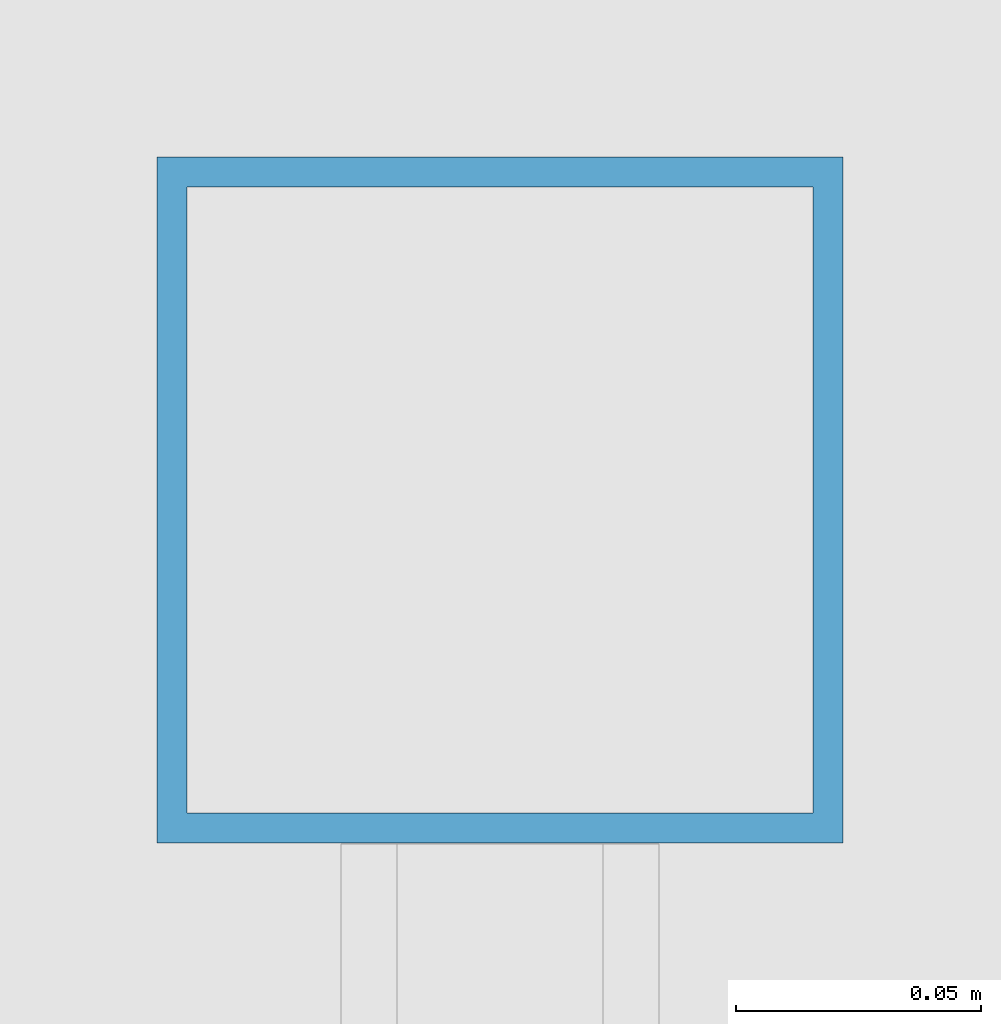
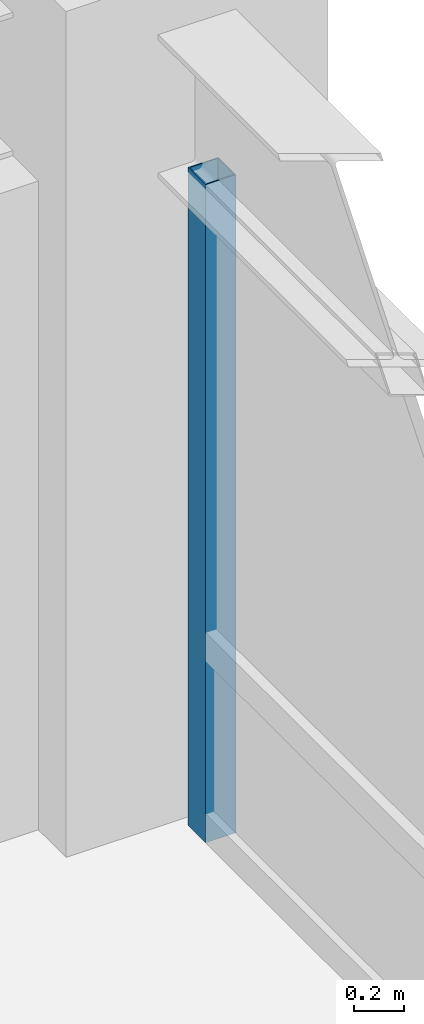
# One storey, part 16 of 27: 1 member, 1 element without a shape of its own.
"""IFC4 building model written with IfcOpenShell, lengths in metres."""

from ifc_helpers import new_model, si_unit, direction, frame, origin, origin_2d, place, context, subcontext, project, spatial, hollow_rectangle, extrude, source, transform, mapped, material, material_profile, profile_set, type_object, element, aggregate, save


model = new_model("IFC4")

# Units and contexts
model_context = context("Model", 3, precision=1e-05, world=origin(), true_north=direction((0.0, 1.0)))
body_context = subcontext(model_context, "Body", "Model", "MODEL_VIEW")
ifc_project = project(units=[si_unit("LENGTHUNIT", "METRE"), si_unit("AREAUNIT", "SQUARE_METRE"), si_unit("VOLUMEUNIT", "CUBIC_METRE"), si_unit("PLANEANGLEUNIT", "RADIAN"), si_unit("MASSUNIT", "GRAM", prefix="KILO")], contexts=[model_context])

# Site, building, storey
site_placement = place(None, origin())
site = spatial("IfcSite", under=ifc_project, at=site_placement, CompositionType="ELEMENT")
building_placement = place(site_placement, origin())
building = spatial("IfcBuilding", under=site, at=building_placement, Name="Khorayat Bourse Tower", CompositionType="ELEMENT")
storey_placement = place(building_placement, frame((0.0, 0.0, 107.800048828125)))
storey = spatial("IfcBuildingStorey", under=building, at=storey_placement, Name="L24", CompositionType="ELEMENT", Elevation=107.800048828125)

# Curtain wall, member
ifc_material = material(Name="Aluminium EN AW-6063 T6", Category="aluminium")
curtain_wall_type = type_object("IfcCurtainWallType", Name="CW-SYS-02", PredefinedType="NOTDEFINED", material=ifc_material)
curtain_wall_placement = place(storey_placement, origin())
curtain_wall = element("IfcCurtainWall", 1, at=curtain_wall_placement, inside=storey, type_object=curtain_wall_type, Name="L24 Curtain Wall CW-L24-E1", PredefinedType="NOTDEFINED")
ifc_material_profile = material_profile(ifc_material, hollow_rectangle(XDim=0.139892578125, YDim=0.139892578125, WallThickness=0.006103515625, at=origin_2d()), Name="ALU 140x140x6")
ifc_profile_set = profile_set([ifc_material_profile], Name="Aluminium EN AW-6063 T6")
member_type = type_object("IfcMemberType", Name="CWM-VERT-140", PredefinedType="MULLION", material=ifc_profile_set)
shared_shape = source(origin(), body_context, "Body", "SweptSolid", [
    extrude(hollow_rectangle(XDim=0.139892578125, YDim=0.139892578125, WallThickness=0.006103515625, at=origin_2d()), origin(), (0.0, 0.0, 1.0), 3.18994140625),
])
member_placement = place(storey_placement, frame((32.0, 27.280029296875, 0.0), z_axis=(0.0, 0.0, 1.0), x_axis=(-1.0, 0.0, 0.0)))
member = element("IfcMember", 2, at=member_placement, type_object=member_type, Name="CW-L24-E1 Vertical Mullion 3", PredefinedType="MULLION", context=body_context, shape_type="MappedRepresentation", body=[
    mapped(shared_shape, transform((0.0, 0.0, 0.0), scale=1.0)),
])
aggregate(curtain_wall, [member])

save(model, "model.ifc")
